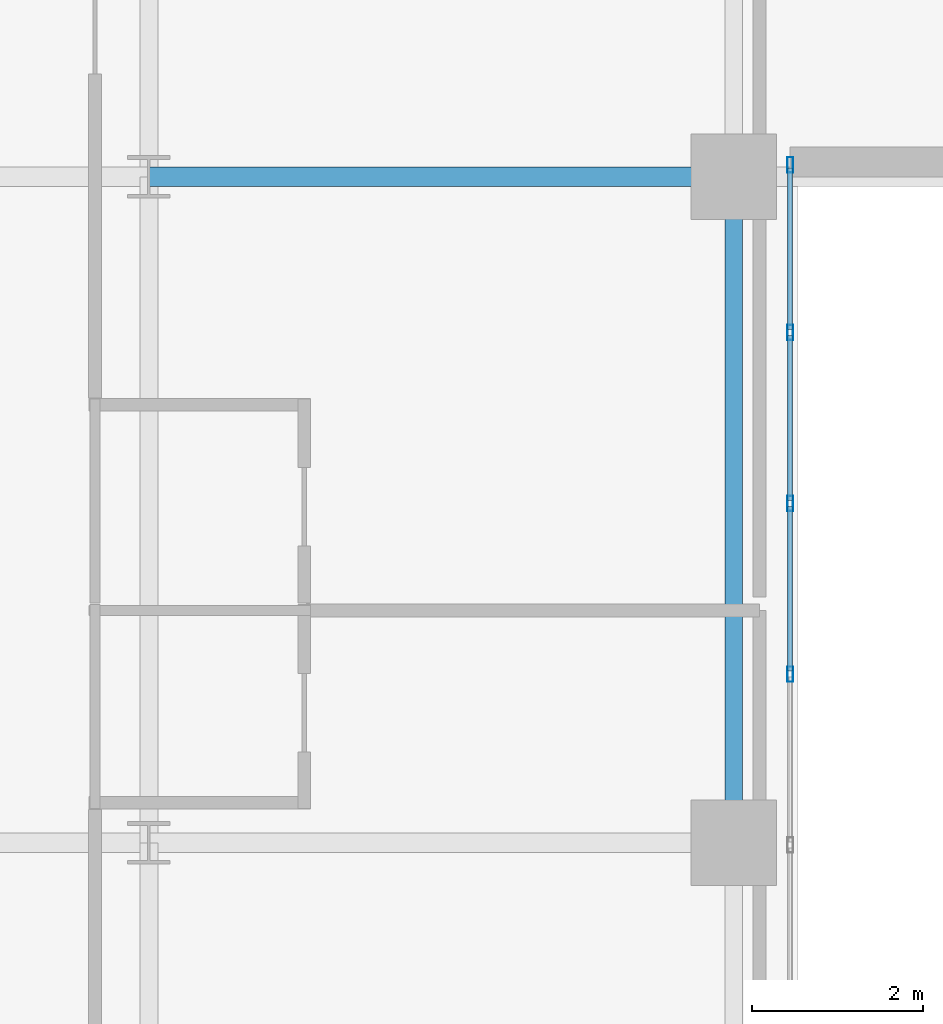
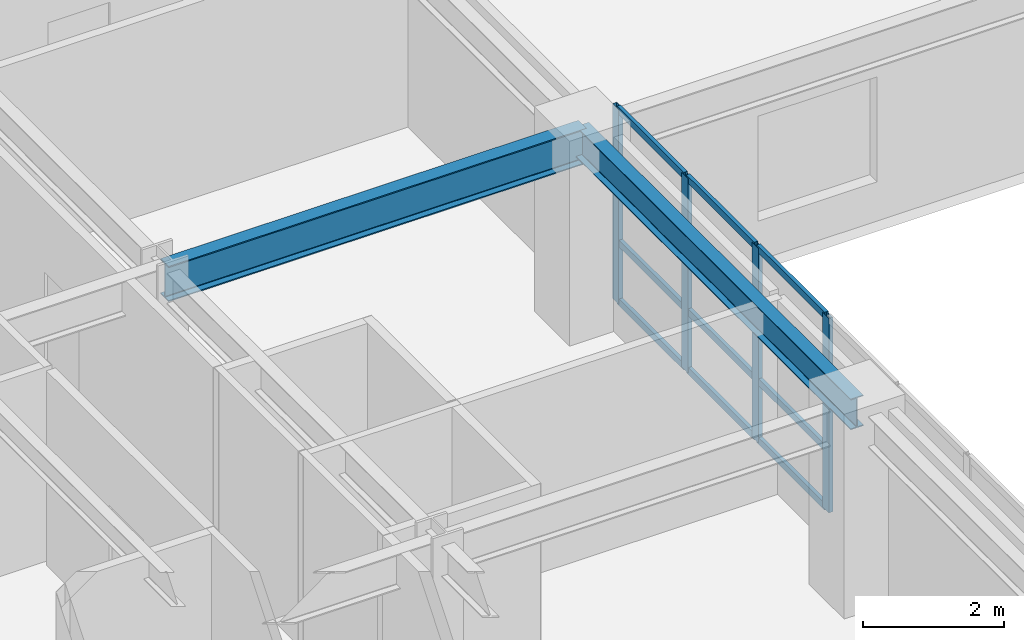
# One storey, part 7 of 30: 13 members, 2 beams, 1 element without a shape of its own.
"""IFC4 building model written with IfcOpenShell, lengths in metres."""

from ifc_helpers import new_model, si_unit, direction, frame, origin, origin_2d, place, context, subcontext, project, spatial, hollow_rectangle, i_section, extrude, source, transform, mapped, material, layer, layer_set, material_profile, profile_set, type_object, type_shapes, element, aggregate, save


model = new_model("IFC4")

# Units and contexts
model_context = context("Model", 3, precision=1e-05, world=origin(), true_north=direction((0.0, 1.0)))
body_context = subcontext(model_context, "Body", "Model", "MODEL_VIEW")
ifc_project = project(units=[si_unit("LENGTHUNIT", "METRE"), si_unit("AREAUNIT", "SQUARE_METRE"), si_unit("VOLUMEUNIT", "CUBIC_METRE"), si_unit("PLANEANGLEUNIT", "RADIAN"), si_unit("MASSUNIT", "GRAM", prefix="KILO")], contexts=[model_context])

# Site, building, storey
site_placement = place(None, origin())
site = spatial("IfcSite", under=ifc_project, at=site_placement, CompositionType="ELEMENT")
building_placement = place(site_placement, origin())
building = spatial("IfcBuilding", under=site, at=building_placement, Name="Tolvann Quenvar Hotel", CompositionType="ELEMENT")
storey_placement = place(building_placement, frame((0.0, 0.0, 56.85009765625)))
storey = spatial("IfcBuildingStorey", under=building, at=storey_placement, Name="L13", CompositionType="ELEMENT", Elevation=56.85009765625)

# Beams
ifc_material_1 = material(Name="Steel Grade 350", Category="steel")
ifc_material_profile_1 = material_profile(ifc_material_1, i_section(OverallWidth=0.22900390625, OverallDepth=0.612060546875, WebThickness=0.011962890625, FlangeThickness=0.01953125, FilletRadius=0.013916015625, at=origin_2d()), Name="610UB125")
ifc_profile_set_1 = profile_set([ifc_material_profile_1], Name="Steel Grade 350")
beam_type_1 = type_object("IfcBeamType", Name="BM_GIRD_610UB125", PredefinedType="BEAM", material=ifc_profile_set_1)
shared_shape_1 = source(origin(), body_context, "Body", "SweptSolid", [
    extrude(i_section(OverallWidth=0.22900390625, OverallDepth=0.612060546875, WebThickness=0.011962890625, FlangeThickness=0.01953125, FilletRadius=0.013916015625, at=origin_2d()), origin(), (0.0, 0.0, 1.0), 6.85009765625),
])
type_shapes(beam_type_1, [shared_shape_1])
beam_1_placement = place(storey_placement, frame((15.199951171875, 16.0, 3.06396484375), z_axis=(1.0, 0.0, 0.0), x_axis=(0.0, 1.0, 0.0)))
element("IfcBeam", 1, at=beam_1_placement, inside=storey, type_object=beam_type_1, Name="BM-L13-EW-4-D4-E4", PredefinedType="BEAM", context=body_context, shape_type="MappedRepresentation", body=[
    mapped(shared_shape_1, transform((0.0, 0.0, 0.0), x_axis=(1.0, 0.0, 0.0), y_axis=(0.0, 1.0, 0.0), z_axis=(0.0, 0.0, 1.0), scale=1.0)),
])
ifc_material_profile_2 = material_profile(ifc_material_1, i_section(OverallWidth=0.208984375, OverallDepth=0.532958984375, WebThickness=0.01025390625, FlangeThickness=0.015625, FilletRadius=0.013916015625, at=origin_2d()), Name="530UB92")
ifc_profile_set_2 = profile_set([ifc_material_profile_2], Name="Steel Grade 350")
beam_type_2 = type_object("IfcBeamType", Name="BM_GIRD_530UB92", PredefinedType="BEAM", material=ifc_profile_set_2)
shared_shape_2 = source(origin(), body_context, "Body", "SweptSolid", [
    extrude(i_section(OverallWidth=0.208984375, OverallDepth=0.532958984375, WebThickness=0.01025390625, FlangeThickness=0.015625, FilletRadius=0.013916015625, at=origin_2d()), origin(), (0.0, 0.0, 1.0), 7.800048828125),
])
type_shapes(beam_type_2, [shared_shape_2])
beam_2_placement = place(storey_placement, frame((22.050048828125, 8.199951171875, 3.103515625), z_axis=(0.0, 1.0, 0.0), x_axis=(-1.0, 0.0, 0.0)))
element("IfcBeam", 2, at=beam_2_placement, inside=storey, type_object=beam_type_2, Name="BM-L13-NS-E3-E4", PredefinedType="BEAM", context=body_context, shape_type="MappedRepresentation", body=[
    mapped(shared_shape_2, transform((0.0, 0.0, 0.0), x_axis=(1.0, 0.0, 0.0), y_axis=(0.0, 1.0, 0.0), z_axis=(0.0, 0.0, 1.0), scale=1.0)),
])

# Curtain wall, members
ifc_material_2 = material(Name="Thermally broken anodised architectural aluminium 6063-T6 and laminated low-E glass", Category="aluminium")
ifc_layer = layer(ifc_material_2, 0.179931640625)
ifc_layer_set = layer_set([ifc_layer], Name="Thermally broken anodised architectural aluminium 6063-T6 and laminated low-E glass")
curtain_wall_type = type_object("IfcCurtainWallType", Name="CW_SYS_SLOT_03", PredefinedType="USERDEFINED", material=ifc_layer_set)
curtain_wall_placement = place(storey_placement, origin())
curtain_wall = element("IfcCurtainWall", 3, at=curtain_wall_placement, inside=storey, type_object=curtain_wall_type, Name="Curtain Wall CW-SLOT-03 (CWR-L13-E05)", ObjectType="UNITISED CURTAIN WALL", PredefinedType="USERDEFINED")
ifc_material_3 = material(Name="Anodised architectural aluminium 6063-T6 framing", Category="aluminium")
ifc_material_profile_3 = material_profile(ifc_material_3, hollow_rectangle(XDim=0.06005859375, YDim=0.1201171875, WallThickness=0.00341796875, at=origin_2d()), Name="120x60x3.5RHS")
ifc_profile_set_3 = profile_set([ifc_material_profile_3], Name="Anodised architectural aluminium 6063-T6 framing")
member_type_1 = type_object("IfcMemberType", Name="CW_TRAN_120x60", PredefinedType="USERDEFINED", material=ifc_profile_set_3)
shared_shape_3 = source(origin(), body_context, "Body", "SweptSolid", [
    extrude(hollow_rectangle(XDim=0.06005859375, YDim=0.1201171875, WallThickness=0.00341796875, at=origin_2d()), origin(), (0.0, 0.0, 1.0), 1.929931640625),
])
member_1_placement = place(storey_placement, frame((22.7099609375, 10.2099609375, 0.02978515625), z_axis=(0.0, 1.0, 0.0), x_axis=(-1.0, 0.0, 0.0)))
member_1 = element("IfcMember", 4, at=member_1_placement, type_object=member_type_1, Name="CW-SLOT-03 transom 6.1", ObjectType="TRANSOM", PredefinedType="USERDEFINED", context=body_context, shape_type="MappedRepresentation", body=[
    mapped(shared_shape_3, transform((0.0, 0.0, 0.0), x_axis=(1.0, 0.0, 0.0), y_axis=(0.0, 1.0, 0.0), z_axis=(0.0, 0.0, 1.0), scale=1.0)),
])
member_2_placement = place(storey_placement, frame((22.7099609375, 10.2099609375, 1.0498046875), z_axis=(0.0, 1.0, 0.0), x_axis=(-1.0, 0.0, 0.0)))
member_2 = element("IfcMember", 5, at=member_2_placement, type_object=member_type_1, Name="CW-SLOT-03 transom 6.2", ObjectType="TRANSOM", PredefinedType="USERDEFINED", context=body_context, shape_type="MappedRepresentation", body=[
    mapped(shared_shape_3, transform((0.0, 0.0, 0.0), x_axis=(1.0, 0.0, 0.0), y_axis=(0.0, 1.0, 0.0), z_axis=(0.0, 0.0, 1.0), scale=1.0)),
])
member_3_placement = place(storey_placement, frame((22.7099609375, 10.2099609375, 3.33984375), z_axis=(0.0, 1.0, 0.0), x_axis=(-1.0, 0.0, 0.0)))
member_3 = element("IfcMember", 6, at=member_3_placement, type_object=member_type_1, Name="CW-SLOT-03 transom 6.3", ObjectType="TRANSOM", PredefinedType="USERDEFINED", context=body_context, shape_type="MappedRepresentation", body=[
    mapped(shared_shape_3, transform((0.0, 0.0, 0.0), x_axis=(1.0, 0.0, 0.0), y_axis=(0.0, 1.0, 0.0), z_axis=(0.0, 0.0, 1.0), scale=1.0)),
])
member_4_placement = place(storey_placement, frame((22.7099609375, 12.2099609375, 0.02978515625), z_axis=(0.0, 1.0, 0.0), x_axis=(-1.0, 0.0, 0.0)))
member_4 = element("IfcMember", 7, at=member_4_placement, type_object=member_type_1, Name="CW-SLOT-03 transom 7.1", ObjectType="TRANSOM", PredefinedType="USERDEFINED", context=body_context, shape_type="MappedRepresentation", body=[
    mapped(shared_shape_3, transform((0.0, 0.0, 0.0), x_axis=(1.0, 0.0, 0.0), y_axis=(0.0, 1.0, 0.0), z_axis=(0.0, 0.0, 1.0), scale=1.0)),
])
member_5_placement = place(storey_placement, frame((22.7099609375, 12.2099609375, 1.0498046875), z_axis=(0.0, 1.0, 0.0), x_axis=(-1.0, 0.0, 0.0)))
member_5 = element("IfcMember", 8, at=member_5_placement, type_object=member_type_1, Name="CW-SLOT-03 transom 7.2", ObjectType="TRANSOM", PredefinedType="USERDEFINED", context=body_context, shape_type="MappedRepresentation", body=[
    mapped(shared_shape_3, transform((0.0, 0.0, 0.0), x_axis=(1.0, 0.0, 0.0), y_axis=(0.0, 1.0, 0.0), z_axis=(0.0, 0.0, 1.0), scale=1.0)),
])
member_6_placement = place(storey_placement, frame((22.7099609375, 12.2099609375, 3.33984375), z_axis=(0.0, 1.0, 0.0), x_axis=(-1.0, 0.0, 0.0)))
member_6 = element("IfcMember", 9, at=member_6_placement, type_object=member_type_1, Name="CW-SLOT-03 transom 7.3", ObjectType="TRANSOM", PredefinedType="USERDEFINED", context=body_context, shape_type="MappedRepresentation", body=[
    mapped(shared_shape_3, transform((0.0, 0.0, 0.0), x_axis=(1.0, 0.0, 0.0), y_axis=(0.0, 1.0, 0.0), z_axis=(0.0, 0.0, 1.0), scale=1.0)),
])
shared_shape_4 = source(origin(), body_context, "Body", "SweptSolid", [
    extrude(hollow_rectangle(XDim=0.06005859375, YDim=0.1201171875, WallThickness=0.00341796875, at=origin_2d()), origin(), (0.0, 0.0, 1.0), 1.89501953125),
])
type_shapes(member_type_1, [shared_shape_3, shared_shape_4])
member_7_placement = place(storey_placement, frame((22.7099609375, 14.2099609375, 0.02978515625), z_axis=(0.0, 1.0, 0.0), x_axis=(-1.0, 0.0, 0.0)))
member_7 = element("IfcMember", 10, at=member_7_placement, type_object=member_type_1, Name="CW-SLOT-03 transom 8.1", ObjectType="TRANSOM", PredefinedType="USERDEFINED", context=body_context, shape_type="MappedRepresentation", body=[
    mapped(shared_shape_4, transform((0.0, 0.0, 0.0), x_axis=(1.0, 0.0, 0.0), y_axis=(0.0, 1.0, 0.0), z_axis=(0.0, 0.0, 1.0), scale=1.0)),
])
member_8_placement = place(storey_placement, frame((22.7099609375, 14.2099609375, 1.0498046875), z_axis=(0.0, 1.0, 0.0), x_axis=(-1.0, 0.0, 0.0)))
member_8 = element("IfcMember", 11, at=member_8_placement, type_object=member_type_1, Name="CW-SLOT-03 transom 8.2", ObjectType="TRANSOM", PredefinedType="USERDEFINED", context=body_context, shape_type="MappedRepresentation", body=[
    mapped(shared_shape_4, transform((0.0, 0.0, 0.0), x_axis=(1.0, 0.0, 0.0), y_axis=(0.0, 1.0, 0.0), z_axis=(0.0, 0.0, 1.0), scale=1.0)),
])
member_9_placement = place(storey_placement, frame((22.7099609375, 14.2099609375, 3.33984375), z_axis=(0.0, 1.0, 0.0), x_axis=(-1.0, 0.0, 0.0)))
member_9 = element("IfcMember", 12, at=member_9_placement, type_object=member_type_1, Name="CW-SLOT-03 transom 8.3", ObjectType="TRANSOM", PredefinedType="USERDEFINED", context=body_context, shape_type="MappedRepresentation", body=[
    mapped(shared_shape_4, transform((0.0, 0.0, 0.0), x_axis=(1.0, 0.0, 0.0), y_axis=(0.0, 1.0, 0.0), z_axis=(0.0, 0.0, 1.0), scale=1.0)),
])
ifc_material_profile_4 = material_profile(ifc_material_3, hollow_rectangle(XDim=0.070068359375, YDim=0.179931640625, WallThickness=0.00390625, at=origin_2d()), Name="180x70x4RHS")
ifc_profile_set_4 = profile_set([ifc_material_profile_4], Name="Anodised architectural aluminium 6063-T6 framing")
member_type_2 = type_object("IfcMemberType", Name="CW_MULL_180x70", PredefinedType="MULLION", material=ifc_profile_set_4)
shared_shape_5 = source(origin(), body_context, "Body", "SweptSolid", [
    extrude(hollow_rectangle(XDim=0.070068359375, YDim=0.179931640625, WallThickness=0.00390625, at=origin_2d()), origin(), (0.0, 0.0, 1.0), 3.369873046875),
])
type_shapes(member_type_2, [shared_shape_5])
member_10_placement = place(storey_placement, frame((22.7099609375, 10.175048828125, 0.0), z_axis=(0.0, 0.0, 1.0), x_axis=(-1.0, 0.0, 0.0)))
member_10 = element("IfcMember", 13, at=member_10_placement, type_object=member_type_2, Name="CW-SLOT-03 mullion 6", PredefinedType="MULLION", context=body_context, shape_type="MappedRepresentation", body=[
    mapped(shared_shape_5, transform((0.0, 0.0, 0.0), x_axis=(1.0, 0.0, 0.0), y_axis=(0.0, 1.0, 0.0), z_axis=(0.0, 0.0, 1.0), scale=1.0)),
])
member_11_placement = place(storey_placement, frame((22.7099609375, 12.175048828125, 0.0), z_axis=(0.0, 0.0, 1.0), x_axis=(-1.0, 0.0, 0.0)))
member_11 = element("IfcMember", 14, at=member_11_placement, type_object=member_type_2, Name="CW-SLOT-03 mullion 7", PredefinedType="MULLION", context=body_context, shape_type="MappedRepresentation", body=[
    mapped(shared_shape_5, transform((0.0, 0.0, 0.0), x_axis=(1.0, 0.0, 0.0), y_axis=(0.0, 1.0, 0.0), z_axis=(0.0, 0.0, 1.0), scale=1.0)),
])
member_12_placement = place(storey_placement, frame((22.7099609375, 14.175048828125, 0.0), z_axis=(0.0, 0.0, 1.0), x_axis=(-1.0, 0.0, 0.0)))
member_12 = element("IfcMember", 15, at=member_12_placement, type_object=member_type_2, Name="CW-SLOT-03 mullion 8", PredefinedType="MULLION", context=body_context, shape_type="MappedRepresentation", body=[
    mapped(shared_shape_5, transform((0.0, 0.0, 0.0), x_axis=(1.0, 0.0, 0.0), y_axis=(0.0, 1.0, 0.0), z_axis=(0.0, 0.0, 1.0), scale=1.0)),
])
member_13_placement = place(storey_placement, frame((22.7099609375, 16.139892578125, 0.0), z_axis=(0.0, 0.0, 1.0), x_axis=(-1.0, 0.0, 0.0)))
member_13 = element("IfcMember", 16, at=member_13_placement, type_object=member_type_2, Name="CW-SLOT-03 mullion 9", PredefinedType="MULLION", context=body_context, shape_type="MappedRepresentation", body=[
    mapped(shared_shape_5, transform((0.0, 0.0, 0.0), x_axis=(1.0, 0.0, 0.0), y_axis=(0.0, 1.0, 0.0), z_axis=(0.0, 0.0, 1.0), scale=1.0)),
])
aggregate(curtain_wall, [member_10, member_11, member_12, member_13, member_1, member_2, member_3, member_4, member_5, member_6, member_7, member_8, member_9])

save(model, "model.ifc")
